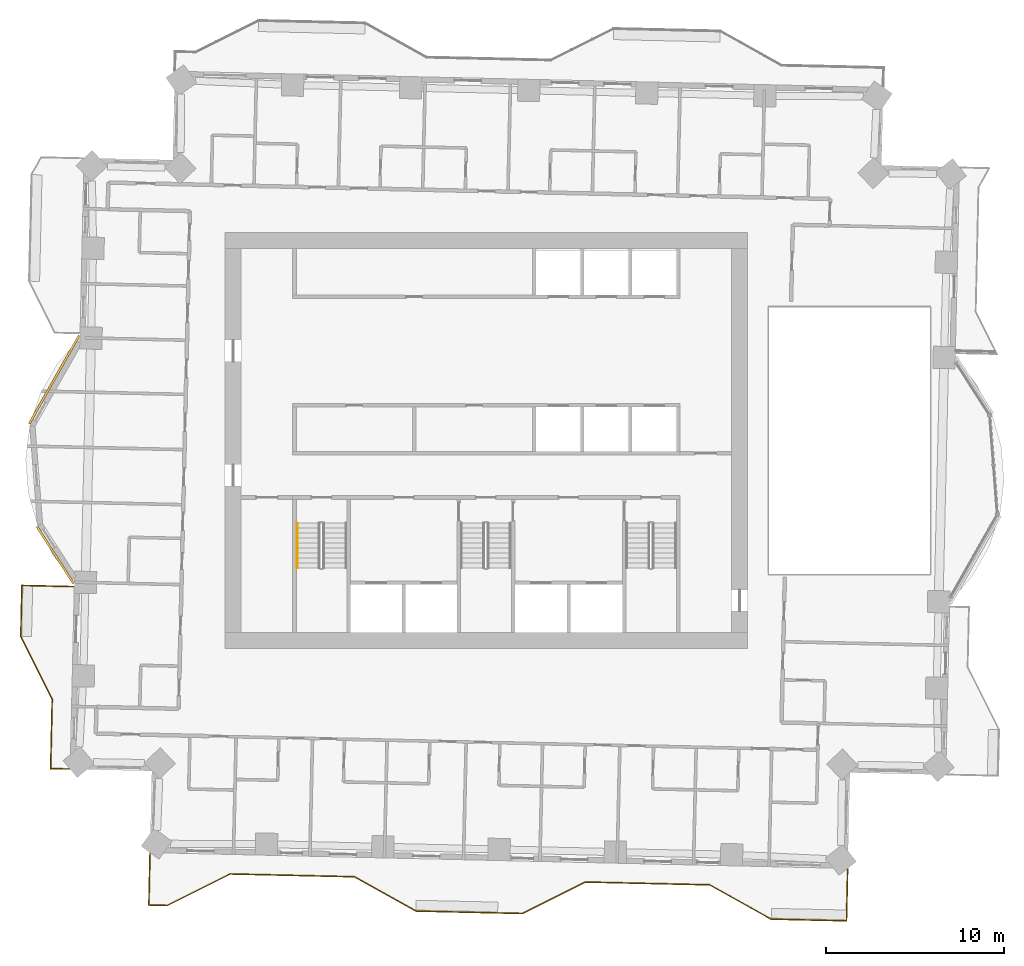
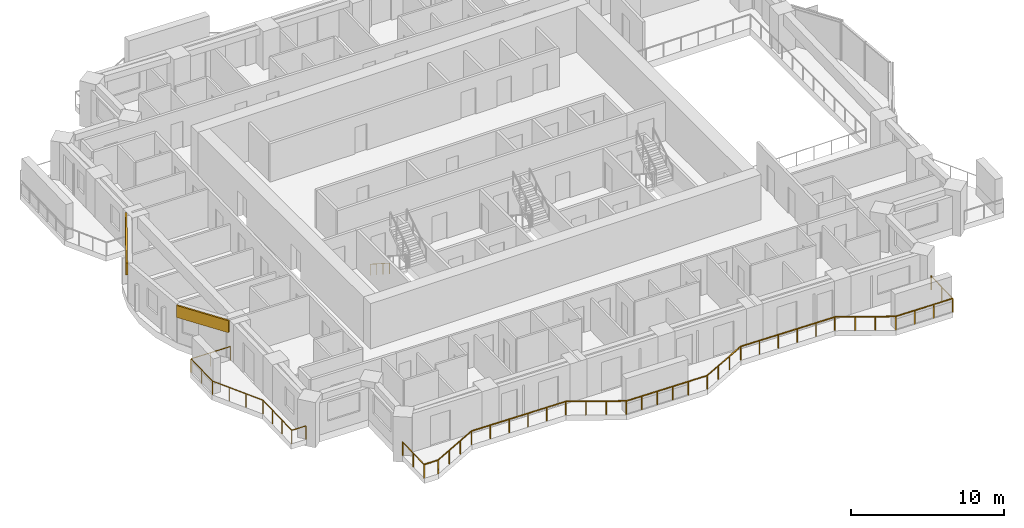
# One storey, part 12 of 15: 3 railings, 2 coverings.
"""IFC4 building model written with IfcOpenShell, lengths in metres."""

from ifc_helpers import new_model, si_unit, direction, frame, frame_2d, origin, origin_2d, place, context, subcontext, project, spatial, rectangle, circle, extrude, material, layer, layer_set, type_object, element, save


model = new_model("IFC4")

# Units and contexts
model_context = context("Model", 3, precision=1e-05, world=origin(), true_north=direction((0.0, 1.0)))
body_context = subcontext(model_context, "Body", "Model", "MODEL_VIEW")
ifc_project = project(units=[si_unit("LENGTHUNIT", "METRE"), si_unit("AREAUNIT", "SQUARE_METRE"), si_unit("VOLUMEUNIT", "CUBIC_METRE"), si_unit("PLANEANGLEUNIT", "RADIAN"), si_unit("MASSUNIT", "GRAM", prefix="KILO")], contexts=[model_context])

# Site, building, storey
site_placement = place(None, origin())
site = spatial("IfcSite", under=ifc_project, at=site_placement, CompositionType="ELEMENT")
building_placement = place(site_placement, origin())
building = spatial("IfcBuilding", under=site, at=building_placement, Name="Mangrove Gate Tower", CompositionType="ELEMENT")
storey_placement = place(building_placement, frame((0.0, 0.0, 156.300048828125)))
storey = spatial("IfcBuildingStorey", under=building, at=storey_placement, Name="L39", CompositionType="ELEMENT", Elevation=156.300048828125)

# Railings
ifc_material_1 = material(Name="Stainless steel grade 316 with laminated glass infill", Category="steel")
railing_type_1 = type_object("IfcRailingType", Name="Balcony guard 1100", PredefinedType="GUARDRAIL", material=ifc_material_1)
railing_1_placement = place(storey_placement, frame((-23.235107421875, -8.212890625, 0.0)))
element("IfcRailing", 1, at=railing_1_placement, inside=storey, type_object=railing_type_1, Name="GUARD L39 W2", PredefinedType="GUARDRAIL", context=body_context, shape_type="SweptSolid", body=[
    extrude(rectangle(XDim=0.048095703125, YDim=0.048095703125, at=origin_2d()), frame((0.0, 0.0, 1.076171875), z_axis=(-0.999751061857, 0.02231175287, 0.0), x_axis=(-0.02231175287, -0.999751061857, 0.0)), (0.0, 0.0, 1.0), 2.91064453125),
    extrude(rectangle(XDim=0.048095703125, YDim=0.048095703125, at=origin_2d()), frame((-2.909912109375, 0.06494140625, 1.076171875), z_axis=(-0.022590224177, -0.999744808324, 0.0), x_axis=(0.999744808324, -0.022590224177, 0.0)), (0.0, 0.0, 1.0), 2.874755859375),
    extrude(rectangle(XDim=0.048095703125, YDim=0.048095703125, at=origin_2d()), frame((-2.974853515625, -2.80908203125, 1.076171875), z_axis=(0.447114919141, -0.894476522376, 0.0), x_axis=(0.894476522376, 0.447114919141, 0.0)), (0.0, 0.0, 1.0), 3.958740234375),
    extrude(rectangle(XDim=0.048095703125, YDim=0.048095703125, at=origin_2d()), frame((-1.204833984375, -6.35009765625, 1.076171875), z_axis=(-0.022599111039, -0.999744607477, 0.0), x_axis=(0.999744607477, -0.022599111039, 0.0)), (0.0, 0.0, 1.0), 3.89990234375),
    extrude(rectangle(XDim=0.048095703125, YDim=0.048095703125, at=origin_2d()), frame((-1.29296875, -10.2490234375, 1.076171875), z_axis=(0.999740168701, -0.022794628443, 0.0), x_axis=(0.022794628443, 0.999740168701, 0.0)), (0.0, 0.0, 1.0), 1.060302734375),
    extrude(rectangle(XDim=0.0419921875, YDim=0.0419921875, at=origin_2d()), origin(), (0.0, 0.0, 1.0), 1.052001953125),
    extrude(rectangle(XDim=0.0419921875, YDim=0.0419921875, at=origin_2d()), frame((-1.455078125, 0.032470703125, 0.0)), (0.0, 0.0, 1.0), 1.052001953125),
    extrude(rectangle(XDim=0.0419921875, YDim=0.0419921875, at=origin_2d()), frame((-2.909912109375, 0.06494140625, 0.0)), (0.0, 0.0, 1.0), 1.052001953125),
    extrude(rectangle(XDim=0.0419921875, YDim=0.0419921875, at=origin_2d()), frame((-2.9423828125, -1.3720703125, 0.0)), (0.0, 0.0, 1.0), 1.052001953125),
    extrude(rectangle(XDim=0.0419921875, YDim=0.0419921875, at=origin_2d()), frame((-2.974853515625, -2.80908203125, 0.0)), (0.0, 0.0, 1.0), 1.052001953125),
    extrude(rectangle(XDim=0.0419921875, YDim=0.0419921875, at=origin_2d()), frame((-2.384765625, -3.989501953125, 0.0)), (0.0, 0.0, 1.0), 1.052001953125),
    extrude(rectangle(XDim=0.0419921875, YDim=0.0419921875, at=origin_2d()), frame((-1.794921875, -5.169677734375, 0.0)), (0.0, 0.0, 1.0), 1.052001953125),
    extrude(rectangle(XDim=0.0419921875, YDim=0.0419921875, at=origin_2d()), frame((-1.204833984375, -6.35009765625, 0.0)), (0.0, 0.0, 1.0), 1.052001953125),
    extrude(rectangle(XDim=0.0419921875, YDim=0.0419921875, at=origin_2d()), frame((-1.234130859375, -7.649658203125, 0.0)), (0.0, 0.0, 1.0), 1.052001953125),
    extrude(rectangle(XDim=0.0419921875, YDim=0.0419921875, at=origin_2d()), frame((-1.263671875, -8.949462890625, 0.0)), (0.0, 0.0, 1.0), 1.052001953125),
    extrude(rectangle(XDim=0.0419921875, YDim=0.0419921875, at=origin_2d()), frame((-1.29296875, -10.2490234375, 0.0)), (0.0, 0.0, 1.0), 1.052001953125),
    extrude(rectangle(XDim=0.0419921875, YDim=0.0419921875, at=origin_2d()), frame((-0.23291015625, -10.273193359375, 0.0)), (0.0, 0.0, 1.0), 1.052001953125),
])
railing_2_placement = place(storey_placement, frame((-18.93505859375, -23.22998046875, 0.0)))
element("IfcRailing", 2, at=railing_2_placement, inside=storey, type_object=railing_type_1, Name="GUARD L39 S1", PredefinedType="GUARDRAIL", context=body_context, shape_type="SweptSolid", body=[
    extrude(rectangle(XDim=0.048095703125, YDim=0.048095703125, at=origin_2d()), frame((0.0, 0.0, 1.076171875), z_axis=(-0.022654696127, -0.999743349437, 0.0), x_axis=(0.999743349437, -0.022654696127, 0.0)), (0.0, 0.0, 1.0), 2.90966796875),
    extrude(rectangle(XDim=0.048095703125, YDim=0.048095703125, at=origin_2d()), frame((-0.06591796875, -2.908935546875, 1.076171875), z_axis=(0.999730073623, -0.023233163683, 0.0), x_axis=(0.023233163683, 0.999730073623, 0.0)), (0.0, 0.0, 1.0), 1.040283203125),
    extrude(rectangle(XDim=0.048095703125, YDim=0.048095703125, at=origin_2d()), frame((0.97412109375, -2.93310546875, 1.076171875), z_axis=(0.894377854182, 0.447312255532, 0.0), x_axis=(-0.447312255532, 0.894377854182, 0.0)), (0.0, 0.0, 1.0), 3.959228515625),
    extrude(rectangle(XDim=0.048095703125, YDim=0.048095703125, at=origin_2d()), frame((4.51513671875, -1.162109375, 1.076171875), z_axis=(0.999742177561, -0.022706351659, 0.0), x_axis=(0.022706351659, 0.999742177561, 0.0)), (0.0, 0.0, 1.0), 6.99951171875),
    extrude(rectangle(XDim=0.048095703125, YDim=0.048095703125, at=origin_2d()), frame((11.512939453125, -1.321044921875, 1.076171875), z_axis=(0.87325689943, -0.48726008209, 0.0), x_axis=(0.48726008209, 0.87325689943, 0.0)), (0.0, 0.0, 1.0), 3.958740234375),
    extrude(rectangle(XDim=0.048095703125, YDim=0.048095703125, at=origin_2d()), frame((14.969970703125, -3.25, 1.076171875), z_axis=(0.999744404568, -0.02260808559, 0.0), x_axis=(0.02260808559, 0.999744404568, 0.0)), (0.0, 0.0, 1.0), 4.600341796875),
    extrude(rectangle(XDim=0.048095703125, YDim=0.048095703125, at=origin_2d()), frame((19.569091796875, -3.35400390625, 1.076171875), z_axis=(0.999739128131, -0.022840220751, 0.0), x_axis=(0.022840220751, 0.999739128131, 0.0)), (0.0, 0.0, 1.0), 1.400146484375),
    extrude(rectangle(XDim=0.048095703125, YDim=0.048095703125, at=origin_2d()), frame((20.968994140625, -3.385986328125, 1.076171875), z_axis=(0.894476522376, 0.447114919141, 0.0), x_axis=(-0.447114919141, 0.894476522376, 0.0)), (0.0, 0.0, 1.0), 3.958740234375),
    extrude(rectangle(XDim=0.048095703125, YDim=0.048095703125, at=origin_2d()), frame((24.510009765625, -1.615966796875, 1.076171875), z_axis=(0.999742195543, -0.022705559911, 0.0), x_axis=(0.022705559911, 0.999742195543, 0.0)), (0.0, 0.0, 1.0), 6.999755859375),
    extrude(rectangle(XDim=0.048095703125, YDim=0.048095703125, at=origin_2d()), frame((31.508056640625, -1.77490234375, 1.076171875), z_axis=(0.873230657876, -0.487307108654, 0.0), x_axis=(0.487307108654, 0.873230657876, 0.0)), (0.0, 0.0, 1.0), 3.958984375),
    extrude(rectangle(XDim=0.048095703125, YDim=0.048095703125, at=origin_2d()), frame((34.965087890625, -3.7041015625, 1.076171875), z_axis=(0.999743941768, -0.022628541676, 0.0), x_axis=(0.022628541676, 0.999743941768, 0.0)), (0.0, 0.0, 1.0), 4.239990234375),
    extrude(rectangle(XDim=0.048095703125, YDim=0.048095703125, at=origin_2d()), frame((39.2041015625, -3.800048828125, 1.076171875), z_axis=(0.022654696127, 0.999743349437, 0.0), x_axis=(-0.999743349437, 0.022654696127, 0.0)), (0.0, 0.0, 1.0), 2.90966796875),
    extrude(rectangle(XDim=0.0419921875, YDim=0.0419921875, at=origin_2d()), origin(), (0.0, 0.0, 1.0), 1.052001953125),
    extrude(rectangle(XDim=0.0419921875, YDim=0.0419921875, at=origin_2d()), frame((-0.032958984375, -1.45458984375, 0.0)), (0.0, 0.0, 1.0), 1.052001953125),
    extrude(rectangle(XDim=0.0419921875, YDim=0.0419921875, at=origin_2d()), frame((-0.06591796875, -2.908935546875, 0.0)), (0.0, 0.0, 1.0), 1.052001953125),
    extrude(rectangle(XDim=0.0419921875, YDim=0.0419921875, at=origin_2d()), frame((0.97412109375, -2.93310546875, 0.0)), (0.0, 0.0, 1.0), 1.052001953125),
    extrude(rectangle(XDim=0.0419921875, YDim=0.0419921875, at=origin_2d()), frame((2.154541015625, -2.3427734375, 0.0)), (0.0, 0.0, 1.0), 1.052001953125),
    extrude(rectangle(XDim=0.0419921875, YDim=0.0419921875, at=origin_2d()), frame((3.334716796875, -1.75244140625, 0.0)), (0.0, 0.0, 1.0), 1.052001953125),
    extrude(rectangle(XDim=0.0419921875, YDim=0.0419921875, at=origin_2d()), frame((4.51513671875, -1.162109375, 0.0)), (0.0, 0.0, 1.0), 1.052001953125),
    extrude(rectangle(XDim=0.0419921875, YDim=0.0419921875, at=origin_2d()), frame((5.914794921875, -1.19384765625, 0.0)), (0.0, 0.0, 1.0), 1.052001953125),
    extrude(rectangle(XDim=0.0419921875, YDim=0.0419921875, at=origin_2d()), frame((7.314208984375, -1.2255859375, 0.0)), (0.0, 0.0, 1.0), 1.052001953125),
    extrude(rectangle(XDim=0.0419921875, YDim=0.0419921875, at=origin_2d()), frame((8.7138671875, -1.257568359375, 0.0)), (0.0, 0.0, 1.0), 1.052001953125),
    extrude(rectangle(XDim=0.0419921875, YDim=0.0419921875, at=origin_2d()), frame((10.11328125, -1.289306640625, 0.0)), (0.0, 0.0, 1.0), 1.052001953125),
    extrude(rectangle(XDim=0.0419921875, YDim=0.0419921875, at=origin_2d()), frame((11.512939453125, -1.321044921875, 0.0)), (0.0, 0.0, 1.0), 1.052001953125),
    extrude(rectangle(XDim=0.0419921875, YDim=0.0419921875, at=origin_2d()), frame((12.665283203125, -1.964111328125, 0.0)), (0.0, 0.0, 1.0), 1.052001953125),
    extrude(rectangle(XDim=0.0419921875, YDim=0.0419921875, at=origin_2d()), frame((13.817626953125, -2.60693359375, 0.0)), (0.0, 0.0, 1.0), 1.052001953125),
    extrude(rectangle(XDim=0.0419921875, YDim=0.0419921875, at=origin_2d()), frame((14.969970703125, -3.25, 0.0)), (0.0, 0.0, 1.0), 1.052001953125),
    extrude(rectangle(XDim=0.0419921875, YDim=0.0419921875, at=origin_2d()), frame((16.11962890625, -3.27587890625, 0.0)), (0.0, 0.0, 1.0), 1.052001953125),
    extrude(rectangle(XDim=0.0419921875, YDim=0.0419921875, at=origin_2d()), frame((17.26953125, -3.302001953125, 0.0)), (0.0, 0.0, 1.0), 1.052001953125),
    extrude(rectangle(XDim=0.0419921875, YDim=0.0419921875, at=origin_2d()), frame((18.41943359375, -3.328125, 0.0)), (0.0, 0.0, 1.0), 1.052001953125),
    extrude(rectangle(XDim=0.0419921875, YDim=0.0419921875, at=origin_2d()), frame((19.569091796875, -3.35400390625, 0.0)), (0.0, 0.0, 1.0), 1.052001953125),
    extrude(rectangle(XDim=0.0419921875, YDim=0.0419921875, at=origin_2d()), frame((20.968994140625, -3.385986328125, 0.0)), (0.0, 0.0, 1.0), 1.052001953125),
    extrude(rectangle(XDim=0.0419921875, YDim=0.0419921875, at=origin_2d()), frame((22.1494140625, -2.7958984375, 0.0)), (0.0, 0.0, 1.0), 1.052001953125),
    extrude(rectangle(XDim=0.0419921875, YDim=0.0419921875, at=origin_2d()), frame((23.32958984375, -2.2060546875, 0.0)), (0.0, 0.0, 1.0), 1.052001953125),
    extrude(rectangle(XDim=0.0419921875, YDim=0.0419921875, at=origin_2d()), frame((24.510009765625, -1.615966796875, 0.0)), (0.0, 0.0, 1.0), 1.052001953125),
    extrude(rectangle(XDim=0.0419921875, YDim=0.0419921875, at=origin_2d()), frame((25.90966796875, -1.647705078125, 0.0)), (0.0, 0.0, 1.0), 1.052001953125),
    extrude(rectangle(XDim=0.0419921875, YDim=0.0419921875, at=origin_2d()), frame((27.309326171875, -1.679443359375, 0.0)), (0.0, 0.0, 1.0), 1.052001953125),
    extrude(rectangle(XDim=0.0419921875, YDim=0.0419921875, at=origin_2d()), frame((28.708740234375, -1.71142578125, 0.0)), (0.0, 0.0, 1.0), 1.052001953125),
    extrude(rectangle(XDim=0.0419921875, YDim=0.0419921875, at=origin_2d()), frame((30.1083984375, -1.7431640625, 0.0)), (0.0, 0.0, 1.0), 1.052001953125),
    extrude(rectangle(XDim=0.0419921875, YDim=0.0419921875, at=origin_2d()), frame((31.508056640625, -1.77490234375, 0.0)), (0.0, 0.0, 1.0), 1.052001953125),
    extrude(rectangle(XDim=0.0419921875, YDim=0.0419921875, at=origin_2d()), frame((32.660400390625, -2.41796875, 0.0)), (0.0, 0.0, 1.0), 1.052001953125),
    extrude(rectangle(XDim=0.0419921875, YDim=0.0419921875, at=origin_2d()), frame((33.812744140625, -3.06103515625, 0.0)), (0.0, 0.0, 1.0), 1.052001953125),
    extrude(rectangle(XDim=0.0419921875, YDim=0.0419921875, at=origin_2d()), frame((34.965087890625, -3.7041015625, 0.0)), (0.0, 0.0, 1.0), 1.052001953125),
    extrude(rectangle(XDim=0.0419921875, YDim=0.0419921875, at=origin_2d()), frame((36.378173828125, -3.736083984375, 0.0)), (0.0, 0.0, 1.0), 1.052001953125),
    extrude(rectangle(XDim=0.0419921875, YDim=0.0419921875, at=origin_2d()), frame((37.791015625, -3.76806640625, 0.0)), (0.0, 0.0, 1.0), 1.052001953125),
    extrude(rectangle(XDim=0.0419921875, YDim=0.0419921875, at=origin_2d()), frame((39.2041015625, -3.800048828125, 0.0)), (0.0, 0.0, 1.0), 1.052001953125),
    extrude(rectangle(XDim=0.0419921875, YDim=0.0419921875, at=origin_2d()), frame((39.237060546875, -2.345703125, 0.0)), (0.0, 0.0, 1.0), 1.052001953125),
    extrude(rectangle(XDim=0.0419921875, YDim=0.0419921875, at=origin_2d()), frame((39.27001953125, -0.89111328125, 0.0)), (0.0, 0.0, 1.0), 1.052001953125),
])
ifc_material_2 = material(Name="Stainless steel 316", Category="steel")
railing_type_2 = type_object("IfcRailingType", Name="Core stair handrail 900", PredefinedType="HANDRAIL", material=ifc_material_2)
railing_3_placement = place(storey_placement, frame((-10.64990234375, -4.64990234375, 0.179931640625)))
element("IfcRailing", 3, at=railing_3_placement, inside=storey, type_object=railing_type_2, Name="L39 ST1 stair handrail 1", PredefinedType="HANDRAIL", context=body_context, shape_type="SweptSolid", body=[
    extrude(circle(Radius=0.02392578125, at=origin_2d()), frame((0.0, 0.0, 0.8759765625), z_axis=(0.0, -0.841162588446, 0.540782303519), x_axis=(1.0, 0.0, 0.0)), (0.0, 0.0, 1.0), 2.995849609375),
    extrude(circle(Radius=0.02099609375, at=origin_2d()), origin(), (0.0, 0.0, 1.0), 0.851806640625),
    extrude(circle(Radius=0.02099609375, at=origin_2d()), frame((0.0, -0.840087890625, 0.5400390625)), (0.0, 0.0, 1.0), 0.851806640625),
    extrude(circle(Radius=0.02099609375, at=origin_2d()), frame((0.0, -1.679931640625, 1.080078125)), (0.0, 0.0, 1.0), 0.851806640625),
    extrude(circle(Radius=0.02099609375, at=origin_2d()), frame((0.0, -2.52001953125, 1.6201171875)), (0.0, 0.0, 1.0), 0.851806640625),
])

# Coverings
ifc_material_3 = material(Name="Limestone", Category="masonry")
ifc_layer_1 = layer(ifc_material_3, 0.0400390625, Name="Limestone cladding")
ifc_material_4 = material(Name="Stainless steel anchors and cavity", Category="steel")
ifc_layer_2 = layer(ifc_material_4, 0.080078125, Name="Fixing cavity")
ifc_layer_set = layer_set([ifc_layer_1, ifc_layer_2], Name="Joint fascia cladding 120")
covering_type = type_object("IfcCoveringType", Name="Joint fascia cladding 120", PredefinedType="CLADDING", material=ifc_layer_set)
covering_1_placement = place(storey_placement, frame((-22.925048828125, 5.908935546875, 2.099853515625), z_axis=(0.0, 0.0, 1.0), x_axis=(-0.49249427368, -0.870315684331, 0.0)))
element("IfcCovering", 4, at=covering_1_placement, inside=storey, type_object=covering_type, Name="STONE FASCIA L39 W9.L1", PredefinedType="CLADDING", context=body_context, shape_type="SweptSolid", body=[
    extrude(rectangle(XDim=5.705810546875, YDim=0.1201171875, at=frame_2d((2.85302734375, 0.0))), origin(), (0.0, 0.0, 1.0), 0.9501953125),
])
covering_2_placement = place(storey_placement, frame((-25.300048828125, -4.830078125, 2.099853515625), z_axis=(0.0, 0.0, 1.0), x_axis=(0.540486138148, -0.841352919095, 0.0)))
element("IfcCovering", 5, at=covering_2_placement, inside=storey, type_object=covering_type, Name="STONE FASCIA L39 W9.L2", PredefinedType="CLADDING", context=body_context, shape_type="SweptSolid", body=[
    extrude(rectangle(XDim=3.818603515625, YDim=0.1201171875, at=frame_2d((1.9091796875, 0.0))), origin(), (0.0, 0.0, 1.0), 0.9501953125),
])

save(model, "model.ifc")
